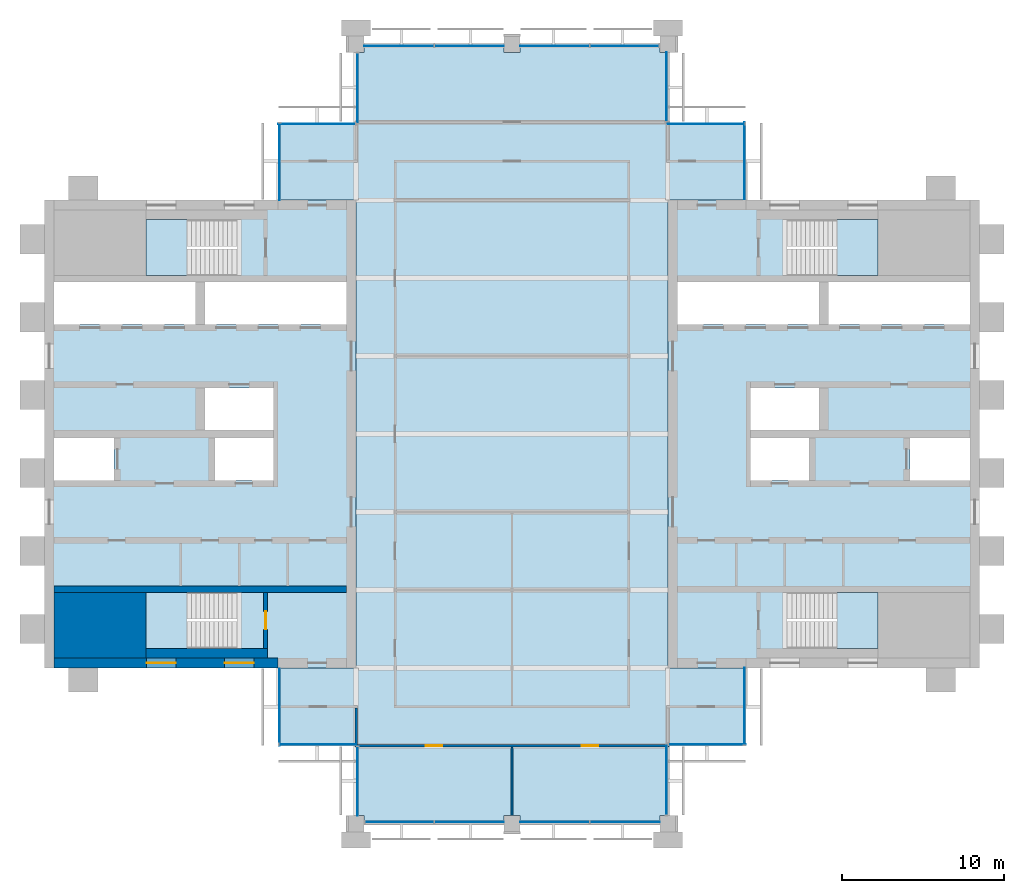
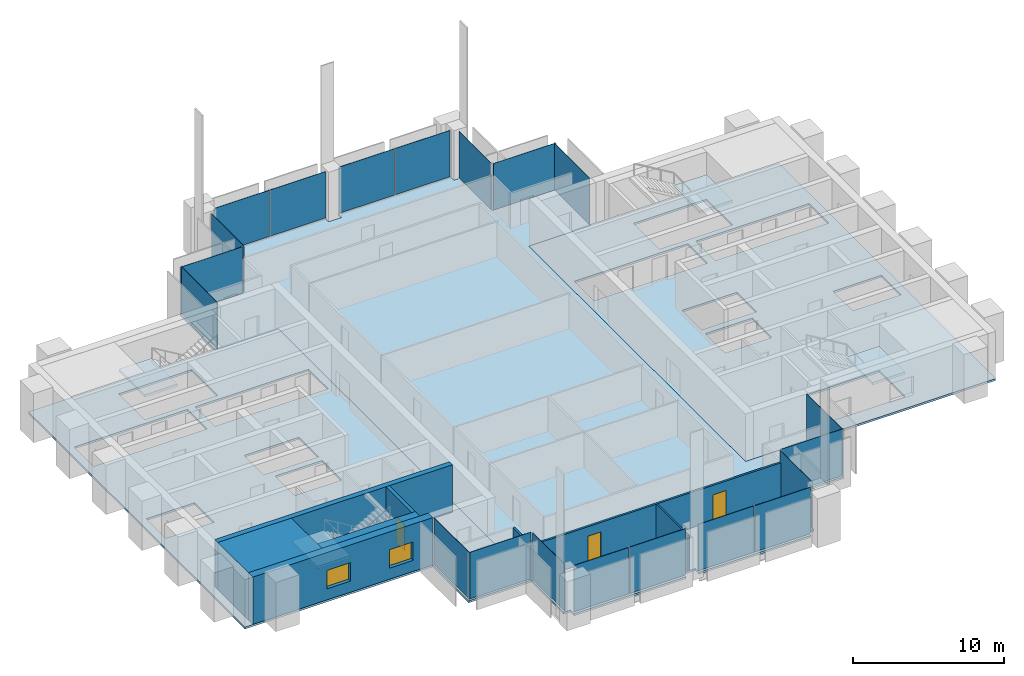
# One storey, part 7 of 12: 20 plates, 8 walls, 7 slabs, 3 doors, 2 windows, 5 openings, 18 elements without a shape of their own.
"""IFC4 building model written with IfcOpenShell, lengths in metres."""

from ifc_helpers import new_model, si_unit, direction, frame, frame_2d, origin, origin_2d, place, context, subcontext, project, spatial, polyline, rectangle, outline, extrude, material, layer, layer_set, type_object, element, fill, aggregate, save


model = new_model("IFC4")

# Units and contexts
model_context = context("Model", 3, precision=1e-05, world=origin(), true_north=direction((0.0, 1.0)))
body_context = subcontext(model_context, "Body", "Model", "MODEL_VIEW")
ifc_project = project(units=[si_unit("LENGTHUNIT", "METRE"), si_unit("AREAUNIT", "SQUARE_METRE"), si_unit("VOLUMEUNIT", "CUBIC_METRE"), si_unit("PLANEANGLEUNIT", "RADIAN"), si_unit("MASSUNIT", "GRAM", prefix="KILO")], contexts=[model_context])

# Site, building, storey
site_placement = place(None, origin())
site = spatial("IfcSite", under=ifc_project, at=site_placement, CompositionType="ELEMENT")
building_placement = place(site_placement, origin())
building = spatial("IfcBuilding", under=site, at=building_placement, Name="Baori Bourse Tower", CompositionType="ELEMENT")
storey_placement = place(building_placement, frame((0.0, 0.0, 342.300048828125)))
storey = spatial("IfcBuildingStorey", under=building, at=storey_placement, Name="L76", CompositionType="ELEMENT", Elevation=342.300048828125)

# Curtain wall, plate
ifc_material_1 = material(Name="Pale anodised aluminium", Category="aluminium")
curtain_wall_type_1 = type_object("IfcCurtainWallType", Name="CW2 Curtain wall", PredefinedType="NOTDEFINED", material=ifc_material_1)
curtain_wall_1_placement = place(storey_placement, origin())
curtain_wall_1 = element("IfcCurtainWall", 1, at=curtain_wall_1_placement, inside=storey, type_object=curtain_wall_type_1, Name="Curtain wall CW2 L76 1", PredefinedType="NOTDEFINED")
ifc_material_2 = material(Name="Clear glass", Category="glass")
ifc_layer_1 = layer(ifc_material_2, 0.030029296875)
ifc_layer_set_1 = layer_set([ifc_layer_1], Name="CW2 Curtain wall panel")
plate_type_1 = type_object("IfcPlateType", Name="CW2 Curtain wall panel", PredefinedType="CURTAIN_PANEL", material=ifc_layer_set_1)
plate_1_placement = place(storey_placement, frame((43.110107421875, 40.827392578125, 0.06982421875), z_axis=(0.0, 0.0, 1.0), x_axis=(0.0, 1.0, 0.0)))
plate_1 = element("IfcPlate", 2, at=plate_1_placement, type_object=plate_type_1, Name="Curtain wall CW2 panel", PredefinedType="CURTAIN_PANEL", context=body_context, shape_type="SweptSolid", body=[
    extrude(rectangle(XDim=4.7451171875, YDim=0.030029296875, at=origin_2d()), origin(), (0.0, 0.0, 1.0), 3.77001953125),
])
aggregate(curtain_wall_1, [plate_1])

curtain_wall_2_placement = place(storey_placement, origin())
curtain_wall_2 = element("IfcCurtainWall", 3, at=curtain_wall_2_placement, inside=storey, type_object=curtain_wall_type_1, Name="Curtain wall CW2 L76 2", PredefinedType="NOTDEFINED")
plate_2_placement = place(storey_placement, frame((40.7724609375, 43.110107421875, 0.06982421875), z_axis=(0.0, 0.0, 1.0), x_axis=(-1.0, 0.0, 0.0)))
plate_2 = element("IfcPlate", 4, at=plate_2_placement, type_object=plate_type_1, Name="Curtain wall CW2 panel", PredefinedType="CURTAIN_PANEL", context=body_context, shape_type="SweptSolid", body=[
    extrude(rectangle(XDim=4.7451171875, YDim=0.030029296875, at=origin_2d()), origin(), (0.0, 0.0, 1.0), 3.77001953125),
])
aggregate(curtain_wall_2, [plate_2])

curtain_wall_3_placement = place(storey_placement, origin())
curtain_wall_3 = element("IfcCurtainWall", 5, at=curtain_wall_3_placement, inside=storey, type_object=curtain_wall_type_1, Name="Curtain wall CW2 L76 3", PredefinedType="NOTDEFINED")
plate_3_placement = place(storey_placement, frame((38.31005859375, 45.37744140625, 0.06982421875), z_axis=(0.0, 0.0, 1.0), x_axis=(0.0, 1.0, 0.0)))
plate_3 = element("IfcPlate", 6, at=plate_3_placement, type_object=plate_type_1, Name="Curtain wall CW2 panel", PredefinedType="CURTAIN_PANEL", context=body_context, shape_type="SweptSolid", body=[
    extrude(rectangle(XDim=4.2451171875, YDim=0.030029296875, at=origin_2d()), origin(), (0.0, 0.0, 1.0), 3.77001953125),
])
aggregate(curtain_wall_3, [plate_3])

curtain_wall_4_placement = place(storey_placement, origin())
curtain_wall_4 = element("IfcCurtainWall", 7, at=curtain_wall_4_placement, inside=storey, type_object=curtain_wall_type_1, Name="Curtain wall CW2 L76 5", PredefinedType="NOTDEFINED")
plate_4_placement = place(storey_placement, frame((19.2900390625, 45.322509765625, 0.06982421875), z_axis=(0.0, 0.0, 1.0), x_axis=(0.0, -1.0, 0.0)))
plate_4 = element("IfcPlate", 8, at=plate_4_placement, type_object=plate_type_1, Name="Curtain wall CW2 panel", PredefinedType="CURTAIN_PANEL", context=body_context, shape_type="SweptSolid", body=[
    extrude(rectangle(XDim=4.2451171875, YDim=0.030029296875, at=origin_2d()), origin(), (0.0, 0.0, 1.0), 3.77001953125),
])
aggregate(curtain_wall_4, [plate_4])

curtain_wall_5_placement = place(storey_placement, origin())
curtain_wall_5 = element("IfcCurtainWall", 9, at=curtain_wall_5_placement, inside=storey, type_object=curtain_wall_type_1, Name="Curtain wall CW2 L76 6", PredefinedType="NOTDEFINED")
plate_5_placement = place(storey_placement, frame((16.7724609375, 43.110107421875, 0.06982421875), z_axis=(0.0, 0.0, 1.0), x_axis=(-1.0, 0.0, 0.0)))
plate_5 = element("IfcPlate", 10, at=plate_5_placement, type_object=plate_type_1, Name="Curtain wall CW2 panel", PredefinedType="CURTAIN_PANEL", context=body_context, shape_type="SweptSolid", body=[
    extrude(rectangle(XDim=4.7451171875, YDim=0.030029296875, at=origin_2d()), origin(), (0.0, 0.0, 1.0), 3.77001953125),
])
aggregate(curtain_wall_5, [plate_5])

curtain_wall_6_placement = place(storey_placement, origin())
curtain_wall_6 = element("IfcCurtainWall", 11, at=curtain_wall_6_placement, inside=storey, type_object=curtain_wall_type_1, Name="Curtain wall CW2 L76 7", PredefinedType="NOTDEFINED")
plate_6_placement = place(storey_placement, frame((14.489990234375, 40.7724609375, 0.06982421875), z_axis=(0.0, 0.0, 1.0), x_axis=(0.0, -1.0, 0.0)))
plate_6 = element("IfcPlate", 12, at=plate_6_placement, type_object=plate_type_1, Name="Curtain wall CW2 panel", PredefinedType="CURTAIN_PANEL", context=body_context, shape_type="SweptSolid", body=[
    extrude(rectangle(XDim=4.7451171875, YDim=0.030029296875, at=origin_2d()), origin(), (0.0, 0.0, 1.0), 3.77001953125),
])
aggregate(curtain_wall_6, [plate_6])

curtain_wall_7_placement = place(storey_placement, origin())
curtain_wall_7 = element("IfcCurtainWall", 13, at=curtain_wall_7_placement, inside=storey, type_object=curtain_wall_type_1, Name="Curtain wall CW2 L76 8", PredefinedType="NOTDEFINED")
plate_7_placement = place(storey_placement, frame((14.489990234375, 7.172607421875, 0.06982421875), z_axis=(0.0, 0.0, 1.0), x_axis=(0.0, -1.0, 0.0)))
plate_7 = element("IfcPlate", 14, at=plate_7_placement, type_object=plate_type_1, Name="Curtain wall CW2 panel", PredefinedType="CURTAIN_PANEL", context=body_context, shape_type="SweptSolid", body=[
    extrude(rectangle(XDim=4.7451171875, YDim=0.030029296875, at=origin_2d()), origin(), (0.0, 0.0, 1.0), 3.77001953125),
])
aggregate(curtain_wall_7, [plate_7])

curtain_wall_8_placement = place(storey_placement, origin())
curtain_wall_8 = element("IfcCurtainWall", 15, at=curtain_wall_8_placement, inside=storey, type_object=curtain_wall_type_1, Name="Curtain wall CW2 L76 9", PredefinedType="NOTDEFINED")
plate_8_placement = place(storey_placement, frame((16.827392578125, 4.889892578125, 0.06982421875), z_axis=(0.0, 0.0, 1.0), x_axis=(1.0, 0.0, 0.0)))
plate_8 = element("IfcPlate", 16, at=plate_8_placement, type_object=plate_type_1, Name="Curtain wall CW2 panel", PredefinedType="CURTAIN_PANEL", context=body_context, shape_type="SweptSolid", body=[
    extrude(rectangle(XDim=4.7451171875, YDim=0.030029296875, at=origin_2d()), origin(), (0.0, 0.0, 1.0), 3.77001953125),
])
aggregate(curtain_wall_8, [plate_8])

curtain_wall_9_placement = place(storey_placement, origin())
curtain_wall_9 = element("IfcCurtainWall", 17, at=curtain_wall_9_placement, inside=storey, type_object=curtain_wall_type_1, Name="Curtain wall CW2 L76 10", PredefinedType="NOTDEFINED")
plate_9_placement = place(storey_placement, frame((19.2900390625, 2.62255859375, 0.06982421875), z_axis=(0.0, 0.0, 1.0), x_axis=(0.0, -1.0, 0.0)))
plate_9 = element("IfcPlate", 18, at=plate_9_placement, type_object=plate_type_1, Name="Curtain wall CW2 panel", PredefinedType="CURTAIN_PANEL", context=body_context, shape_type="SweptSolid", body=[
    extrude(rectangle(XDim=4.2451171875, YDim=0.030029296875, at=origin_2d()), origin(), (0.0, 0.0, 1.0), 3.77001953125),
])
aggregate(curtain_wall_9, [plate_9])

curtain_wall_10_placement = place(storey_placement, origin())
curtain_wall_10 = element("IfcCurtainWall", 19, at=curtain_wall_10_placement, inside=storey, type_object=curtain_wall_type_1, Name="Curtain wall CW2 L76 12", PredefinedType="NOTDEFINED")
plate_10_placement = place(storey_placement, frame((38.31005859375, 2.677490234375, 0.06982421875), z_axis=(0.0, 0.0, 1.0), x_axis=(0.0, 1.0, 0.0)))
plate_10 = element("IfcPlate", 20, at=plate_10_placement, type_object=plate_type_1, Name="Curtain wall CW2 panel", PredefinedType="CURTAIN_PANEL", context=body_context, shape_type="SweptSolid", body=[
    extrude(rectangle(XDim=4.2451171875, YDim=0.030029296875, at=origin_2d()), origin(), (0.0, 0.0, 1.0), 3.77001953125),
])
aggregate(curtain_wall_10, [plate_10])

curtain_wall_11_placement = place(storey_placement, origin())
curtain_wall_11 = element("IfcCurtainWall", 21, at=curtain_wall_11_placement, inside=storey, type_object=curtain_wall_type_1, Name="Curtain wall CW2 L76 13", PredefinedType="NOTDEFINED")
plate_11_placement = place(storey_placement, frame((40.827392578125, 4.889892578125, 0.06982421875), z_axis=(0.0, 0.0, 1.0), x_axis=(1.0, 0.0, 0.0)))
plate_11 = element("IfcPlate", 22, at=plate_11_placement, type_object=plate_type_1, Name="Curtain wall CW2 panel", PredefinedType="CURTAIN_PANEL", context=body_context, shape_type="SweptSolid", body=[
    extrude(rectangle(XDim=4.7451171875, YDim=0.030029296875, at=origin_2d()), origin(), (0.0, 0.0, 1.0), 3.77001953125),
])
aggregate(curtain_wall_11, [plate_11])

curtain_wall_12_placement = place(storey_placement, origin())
curtain_wall_12 = element("IfcCurtainWall", 23, at=curtain_wall_12_placement, inside=storey, type_object=curtain_wall_type_1, Name="Curtain wall CW2 L76 14", PredefinedType="NOTDEFINED")
plate_12_placement = place(storey_placement, frame((43.110107421875, 7.2275390625, 0.06982421875), z_axis=(0.0, 0.0, 1.0), x_axis=(0.0, 1.0, 0.0)))
plate_12 = element("IfcPlate", 24, at=plate_12_placement, type_object=plate_type_1, Name="Curtain wall CW2 panel", PredefinedType="CURTAIN_PANEL", context=body_context, shape_type="SweptSolid", body=[
    extrude(rectangle(XDim=4.7451171875, YDim=0.030029296875, at=origin_2d()), origin(), (0.0, 0.0, 1.0), 3.77001953125),
])
aggregate(curtain_wall_12, [plate_12])

# Curtain wall, plates
ifc_material_3 = material(Name="Pale anodised aluminium", Category="aluminium")
curtain_wall_type_2 = type_object("IfcCurtainWallType", Name="CW5 Curtain wall", PredefinedType="NOTDEFINED", material=ifc_material_3)
curtain_wall_13_placement = place(storey_placement, origin())
curtain_wall_13 = element("IfcCurtainWall", 25, at=curtain_wall_13_placement, inside=storey, type_object=curtain_wall_type_2, Name="Curtain wall CW5 L76 4", PredefinedType="NOTDEFINED")
ifc_material_4 = material(Name="Clear glass", Category="glass")
ifc_layer_2 = layer(ifc_material_4, 0.035888671875)
ifc_layer_set_2 = layer_set([ifc_layer_2], Name="CW5 Curtain wall panel")
plate_type_2 = type_object("IfcPlateType", Name="CW5 Curtain wall panel", PredefinedType="CURTAIN_PANEL", material=ifc_layer_set_2)
plate_13_placement = place(storey_placement, frame((35.733642578125, 47.889892578125, 0.0849609375), z_axis=(0.0, 0.0, 1.0), x_axis=(-1.0, 0.0, 0.0)))
plate_13 = element("IfcPlate", 26, at=plate_13_placement, type_object=plate_type_2, Name="Curtain wall CW5 panel", PredefinedType="CURTAIN_PANEL", context=body_context, shape_type="SweptSolid", body=[
    extrude(rectangle(XDim=4.202392578125, YDim=0.035888671875, at=origin_2d()), origin(), (0.0, 0.0, 1.0), 3.7548828125),
])
plate_14_placement = place(storey_placement, frame((31.433837890625, 47.889892578125, 0.0849609375), z_axis=(0.0, 0.0, 1.0), x_axis=(-1.0, 0.0, 0.0)))
plate_14 = element("IfcPlate", 27, at=plate_14_placement, type_object=plate_type_2, Name="Curtain wall CW5 panel", PredefinedType="CURTAIN_PANEL", context=body_context, shape_type="SweptSolid", body=[
    extrude(rectangle(XDim=4.267578125, YDim=0.035888671875, at=origin_2d()), origin(), (0.0, 0.0, 1.0), 3.7548828125),
])
plate_15_placement = place(storey_placement, frame((26.166259765625, 47.889892578125, 0.0849609375), z_axis=(0.0, 0.0, 1.0), x_axis=(-1.0, 0.0, 0.0)))
plate_15 = element("IfcPlate", 28, at=plate_15_placement, type_object=plate_type_2, Name="Curtain wall CW5 panel", PredefinedType="CURTAIN_PANEL", context=body_context, shape_type="SweptSolid", body=[
    extrude(rectangle(XDim=4.267578125, YDim=0.035888671875, at=origin_2d()), origin(), (0.0, 0.0, 1.0), 3.7548828125),
])
plate_16_placement = place(storey_placement, frame((21.833740234375, 47.889892578125, 0.0849609375), z_axis=(0.0, 0.0, 1.0), x_axis=(-1.0, 0.0, 0.0)))
plate_16 = element("IfcPlate", 29, at=plate_16_placement, type_object=plate_type_2, Name="Curtain wall CW5 panel", PredefinedType="CURTAIN_PANEL", context=body_context, shape_type="SweptSolid", body=[
    extrude(rectangle(XDim=4.267578125, YDim=0.035888671875, at=origin_2d()), origin(), (0.0, 0.0, 1.0), 3.7548828125),
])
aggregate(curtain_wall_13, [plate_13, plate_14, plate_15, plate_16])

curtain_wall_14_placement = place(storey_placement, origin())
curtain_wall_14 = element("IfcCurtainWall", 30, at=curtain_wall_14_placement, inside=storey, type_object=curtain_wall_type_2, Name="Curtain wall CW5 L76 11", PredefinedType="NOTDEFINED")
plate_17_placement = place(storey_placement, frame((21.8662109375, 0.110107421875, 0.0849609375), z_axis=(0.0, 0.0, 1.0), x_axis=(1.0, 0.0, 0.0)))
plate_17 = element("IfcPlate", 31, at=plate_17_placement, type_object=plate_type_2, Name="Curtain wall CW5 panel", PredefinedType="CURTAIN_PANEL", context=body_context, shape_type="SweptSolid", body=[
    extrude(rectangle(XDim=4.202392578125, YDim=0.035888671875, at=origin_2d()), origin(), (0.0, 0.0, 1.0), 3.7548828125),
])
plate_18_placement = place(storey_placement, frame((26.166259765625, 0.110107421875, 0.0849609375), z_axis=(0.0, 0.0, 1.0), x_axis=(1.0, 0.0, 0.0)))
plate_18 = element("IfcPlate", 32, at=plate_18_placement, type_object=plate_type_2, Name="Curtain wall CW5 panel", PredefinedType="CURTAIN_PANEL", context=body_context, shape_type="SweptSolid", body=[
    extrude(rectangle(XDim=4.267578125, YDim=0.035888671875, at=origin_2d()), origin(), (0.0, 0.0, 1.0), 3.7548828125),
])
plate_19_placement = place(storey_placement, frame((31.433837890625, 0.110107421875, 0.0849609375), z_axis=(0.0, 0.0, 1.0), x_axis=(1.0, 0.0, 0.0)))
plate_19 = element("IfcPlate", 33, at=plate_19_placement, type_object=plate_type_2, Name="Curtain wall CW5 panel", PredefinedType="CURTAIN_PANEL", context=body_context, shape_type="SweptSolid", body=[
    extrude(rectangle(XDim=4.267578125, YDim=0.035888671875, at=origin_2d()), origin(), (0.0, 0.0, 1.0), 3.7548828125),
])
plate_20_placement = place(storey_placement, frame((35.766357421875, 0.110107421875, 0.0849609375), z_axis=(0.0, 0.0, 1.0), x_axis=(1.0, 0.0, 0.0)))
plate_20 = element("IfcPlate", 34, at=plate_20_placement, type_object=plate_type_2, Name="Curtain wall CW5 panel", PredefinedType="CURTAIN_PANEL", context=body_context, shape_type="SweptSolid", body=[
    extrude(rectangle(XDim=4.267578125, YDim=0.035888671875, at=origin_2d()), origin(), (0.0, 0.0, 1.0), 3.7548828125),
])
aggregate(curtain_wall_14, [plate_17, plate_18, plate_19, plate_20])

# Slabs
ifc_material_5 = material(Name="Concrete f'c 50 MPa", Category="concrete")
ifc_layer_3 = layer(ifc_material_5, 0.159912109375)
ifc_layer_set_3 = layer_set([ifc_layer_3], Name="Core slab 160")
slab_type_1 = type_object("IfcSlabType", Name="Core slab 160", PredefinedType="FLOOR", material=ifc_layer_set_3)
slab_1_placement = place(storey_placement, frame((0.0, 0.0, -0.16015625)))
element("IfcSlab", 35, at=slab_1_placement, inside=storey, type_object=slab_type_1, Name="Core floor slab W01", PredefinedType="FLOOR", context=body_context, shape_type="SweptSolid", body=[
    extrude(outline(polyline([(19.199951171875, 38.39990234375), (0.0, 38.39990234375), (0.0, 9.60009765625), (19.199951171875, 9.60009765625), (19.199951171875, 38.39990234375)]), holes=[polyline([(9.89990234375, 33.35009765625), (18.60009765625, 33.35009765625), (18.60009765625, 30.75), (9.89990234375, 30.75), (9.89990234375, 33.35009765625)]), polyline([(10.5, 21.14990234375), (10.5, 23.75), (14.10009765625, 23.75), (14.10009765625, 21.14990234375), (10.5, 21.14990234375)]), polyline([(14.10009765625, 24.25), (9.89990234375, 24.25), (9.89990234375, 26.85009765625), (14.10009765625, 26.85009765625), (14.10009765625, 24.25)]), polyline([(6.25, 14.25), (11.84912109375, 14.25), (11.84912109375, 10.800048828125), (6.25, 10.800048828125), (6.25, 14.25)]), polyline([(11.84912109375, 37.199951171875), (11.84912109375, 33.75), (6.25, 33.75), (6.25, 37.199951171875), (11.84912109375, 37.199951171875)]), polyline([(0.60009765625, 30.75), (0.60009765625, 33.35009765625), (9.300048828125, 33.35009765625), (9.300048828125, 30.75), (0.60009765625, 30.75)]), polyline([(4.300048828125, 23.75), (4.300048828125, 21.14990234375), (0.60009765625, 21.14990234375), (0.60009765625, 23.75), (4.300048828125, 23.75)])]), origin(), (0.0, 0.0, 1.0), 0.16015625),
])
slab_2_placement = place(storey_placement, frame((0.0, 0.0, -0.16015625)))
element("IfcSlab", 36, at=slab_2_placement, inside=storey, type_object=slab_type_1, Name="Core floor slab E01", PredefinedType="FLOOR", context=body_context, shape_type="SweptSolid", body=[
    extrude(outline(polyline([(57.60009765625, 9.60009765625), (57.60009765625, 38.39990234375), (38.39990234375, 38.39990234375), (38.39990234375, 9.60009765625), (57.60009765625, 9.60009765625)]), holes=[polyline([(48.300048828125, 33.35009765625), (57.0, 33.35009765625), (57.0, 30.75), (48.300048828125, 30.75), (48.300048828125, 33.35009765625)]), polyline([(57.0, 21.14990234375), (53.300048828125, 21.14990234375), (53.300048828125, 23.75), (57.0, 23.75), (57.0, 21.14990234375)]), polyline([(45.750732421875, 14.25), (51.35009765625, 14.25), (51.35009765625, 10.800048828125), (45.750732421875, 10.800048828125), (45.750732421875, 14.25)]), polyline([(51.35009765625, 37.199951171875), (51.35009765625, 33.75), (45.750732421875, 33.75), (45.750732421875, 37.199951171875), (51.35009765625, 37.199951171875)]), polyline([(43.5, 24.25), (43.5, 26.85009765625), (47.699951171875, 26.85009765625), (47.699951171875, 24.25), (43.5, 24.25)]), polyline([(47.699951171875, 33.35009765625), (47.699951171875, 30.75), (39.0, 30.75), (39.0, 33.35009765625), (47.699951171875, 33.35009765625)]), polyline([(43.5, 23.75), (47.10009765625, 23.75), (47.10009765625, 21.14990234375), (43.5, 21.14990234375), (43.5, 23.75)])]), origin(), (0.0, 0.0, 1.0), 0.16015625),
])

# Stair, slab
ifc_material_6 = material(Name="Concrete f'c 50 MPa", Category="concrete")
stair_type = type_object("IfcStairType", Name="Core stair", PredefinedType="HALF_TURN_STAIR", material=ifc_material_6)
stair_1_placement = place(storey_placement, origin())
stair_1 = element("IfcStair", 37, at=stair_1_placement, inside=storey, type_object=stair_type, Name="L76 Stair WA", PredefinedType="HALF_TURN_STAIR")
ifc_material_7 = material(Name="Concrete f'c 50 MPa", Category="concrete")
slab_type_2 = type_object("IfcSlabType", Name="Core stair landing", PredefinedType="LANDING", material=ifc_material_7)
slab_3_placement = place(storey_placement, frame((0.0, 0.0, 1.800048828125)))
slab_3 = element("IfcSlab", 38, at=slab_3_placement, type_object=slab_type_2, Name="ST1 landing 1", PredefinedType="LANDING", context=body_context, shape_type="SweptSolid", body=[
    extrude(outline(polyline([(8.77001953125, 14.25), (6.25, 14.25), (6.25, 10.800048828125), (8.77001953125, 10.800048828125), (8.77001953125, 14.25)])), origin(), (0.0, 0.0, 1.0), 0.199951171875),
])
aggregate(stair_1, [slab_3])

stair_2_placement = place(storey_placement, origin())
stair_2 = element("IfcStair", 39, at=stair_2_placement, inside=storey, type_object=stair_type, Name="L76 Stair WB", PredefinedType="HALF_TURN_STAIR")
slab_4_placement = place(storey_placement, frame((0.0, 0.0, 1.800048828125)))
slab_4 = element("IfcSlab", 40, at=slab_4_placement, type_object=slab_type_2, Name="ST2 landing 1", PredefinedType="LANDING", context=body_context, shape_type="SweptSolid", body=[
    extrude(outline(polyline([(8.77001953125, 37.199951171875), (6.25, 37.199951171875), (6.25, 33.75), (8.77001953125, 33.75), (8.77001953125, 37.199951171875)])), origin(), (0.0, 0.0, 1.0), 0.199951171875),
])
aggregate(stair_2, [slab_4])

stair_3_placement = place(storey_placement, origin())
stair_3 = element("IfcStair", 41, at=stair_3_placement, inside=storey, type_object=stair_type, Name="L76 Stair EA", PredefinedType="HALF_TURN_STAIR")
slab_5_placement = place(storey_placement, frame((0.0, 0.0, 1.800048828125)))
slab_5 = element("IfcSlab", 42, at=slab_5_placement, type_object=slab_type_2, Name="ST3 landing 1", PredefinedType="LANDING", context=body_context, shape_type="SweptSolid", body=[
    extrude(outline(polyline([(48.830078125, 10.800048828125), (51.35009765625, 10.800048828125), (51.35009765625, 14.25), (48.830078125, 14.25), (48.830078125, 10.800048828125)])), origin(), (0.0, 0.0, 1.0), 0.199951171875),
])
aggregate(stair_3, [slab_5])

stair_4_placement = place(storey_placement, origin())
stair_4 = element("IfcStair", 43, at=stair_4_placement, inside=storey, type_object=stair_type, Name="L76 Stair EB", PredefinedType="HALF_TURN_STAIR")
slab_6_placement = place(storey_placement, frame((0.0, 0.0, 1.800048828125)))
slab_6 = element("IfcSlab", 44, at=slab_6_placement, type_object=slab_type_2, Name="ST4 landing 1", PredefinedType="LANDING", context=body_context, shape_type="SweptSolid", body=[
    extrude(outline(polyline([(48.830078125, 33.75), (51.35009765625, 33.75), (51.35009765625, 37.199951171875), (48.830078125, 37.199951171875), (48.830078125, 33.75)])), origin(), (0.0, 0.0, 1.0), 0.199951171875),
])
aggregate(stair_4, [slab_6])

# Slab
ifc_material_8 = material(Name="Concrete f'c 40 MPa", Category="concrete")
ifc_layer_4 = layer(ifc_material_8, 0.159912109375)
ifc_layer_set_4 = layer_set([ifc_layer_4], Name="Floor slab 160")
slab_type_3 = type_object("IfcSlabType", Name="Floor slab 160", PredefinedType="FLOOR", material=ifc_layer_set_4)
slab_7_placement = place(storey_placement, frame((0.0, 0.0, -0.16015625)))
element("IfcSlab", 45, at=slab_7_placement, inside=storey, type_object=slab_type_3, Name="Floor slab L76", PredefinedType="FLOOR", context=body_context, shape_type="SweptSolid", body=[
    extrude(outline(polyline([(19.199951171875, 4.800048828125), (14.39990234375, 4.800048828125), (14.39990234375, 9.60009765625), (19.199951171875, 9.60009765625), (19.199951171875, 38.39990234375), (14.39990234375, 38.39990234375), (14.39990234375, 43.199951171875), (19.199951171875, 43.199951171875), (19.199951171875, 47.5), (19.699951171875, 47.5), (19.699951171875, 48.0), (28.300048828125, 48.0), (28.300048828125, 47.5), (29.300048828125, 47.5), (29.300048828125, 48.0), (37.89990234375, 48.0), (37.89990234375, 47.5), (38.39990234375, 47.5), (38.39990234375, 43.199951171875), (43.199951171875, 43.199951171875), (43.199951171875, 38.39990234375), (38.39990234375, 38.39990234375), (38.39990234375, 9.60009765625), (43.199951171875, 9.60009765625), (43.199951171875, 4.800048828125), (38.39990234375, 4.800048828125), (38.39990234375, 0.5), (37.89990234375, 0.5), (37.89990234375, 0.0), (29.300048828125, 0.0), (29.300048828125, 0.5), (28.300048828125, 0.5), (28.300048828125, 0.0), (19.699951171875, 0.0), (19.699951171875, 0.5), (19.199951171875, 0.5), (19.199951171875, 4.800048828125)])), origin(), (0.0, 0.0, 1.0), 0.16015625),
])

# Wall
ifc_material_9 = material(Name="Concrete f'c 40 MPa", Category="concrete")
wall_type_1 = type_object("IfcWallType", Name="Core corner block f'c 40", PredefinedType="SHEAR", material=ifc_material_9)
wall_1_placement = place(storey_placement, frame((0.60009765625, 12.22509765625, 0.0), z_axis=(0.0, 0.0, 1.0), x_axis=(1.0, 0.0, 0.0)))
element("IfcWall", 46, at=wall_1_placement, inside=storey, type_object=wall_type_1, Name="Core wall W05", PredefinedType="SHEAR", context=body_context, shape_type="SweptSolid", body=[
    extrude(rectangle(XDim=5.64990234375, YDim=4.050048828125, at=frame_2d((2.824951171875, 0.0))), origin(), (0.0, 0.0, 1.0), 3.83984375),
])

# Wall, openings, windows
ifc_material_10 = material(Name="Concrete f'c 40 MPa", Category="concrete")
ifc_layer_5 = layer(ifc_material_10, 0.60009765625)
ifc_layer_set_5 = layer_set([ifc_layer_5], Name="Core wall 600 f'c 40")
wall_type_2 = type_object("IfcWallType", Name="Core wall 600 f'c 40", PredefinedType="SHEAR", material=ifc_layer_set_5)
wall_2_placement = place(storey_placement, frame((14.39990234375, 9.89990234375, 0.0), z_axis=(0.0, 0.0, 1.0), x_axis=(-1.0, 0.0, 0.0)))
wall_2 = element("IfcWall", 47, at=wall_2_placement, inside=storey, type_object=wall_type_2, Name="Core wall W02", PredefinedType="SHEAR", context=body_context, shape_type="SweptSolid", body=[
    extrude(rectangle(XDim=13.7998046875, YDim=0.60009765625, at=frame_2d((6.89990234375, 0.0))), origin(), (0.0, 0.0, 1.0), 3.83984375),
])
opening_1_placement = place(wall_2_placement, frame((6.300048828125, 0.0, 0.89990234375)))
opening_1 = element("IfcOpeningElement", 48, at=opening_1_placement, cuts=wall_2, Name="Opening L76-KW103", PredefinedType="OPENING", context=body_context, shape_type="SweptSolid", body=[
    extrude(rectangle(XDim=1.800048828125, YDim=1.5, at=frame_2d((0.89990234375, 0.75))), frame((0.0, 0.31005859375, 0.0), z_axis=(0.0, -1.0, 0.0), x_axis=(1.0, 0.0, 0.0)), (0.0, 0.0, 1.0), 0.6201171875),
])
opening_2_placement = place(wall_2_placement, frame((1.5, 0.0, 0.89990234375)))
opening_2 = element("IfcOpeningElement", 49, at=opening_2_placement, cuts=wall_2, Name="Opening L76-KW104", PredefinedType="OPENING", context=body_context, shape_type="SweptSolid", body=[
    extrude(rectangle(XDim=1.800048828125, YDim=1.5, at=frame_2d((0.89990234375, 0.75))), frame((0.0, 0.31005859375, 0.0), z_axis=(0.0, -1.0, 0.0), x_axis=(1.0, 0.0, 0.0)), (0.0, 0.0, 1.0), 0.6201171875),
])
ifc_material_11 = material(Name="Pale anodised aluminium", Category="aluminium")
window_type = type_object("IfcWindowType", Name="Stair window 1800 x 1500", PartitioningType="SINGLE_PANEL", PredefinedType="WINDOW", material=ifc_material_11)
window_1_placement = place(opening_1_placement, origin())
window_1 = element("IfcWindow", 50, at=window_1_placement, inside=storey, type_object=window_type, Name="Stair window W L76 3", OverallHeight=1.5, OverallWidth=1.800048828125, PartitioningType="SINGLE_PANEL", PredefinedType="WINDOW", context=body_context, shape_type="SweptSolid", body=[
    extrude(rectangle(XDim=1.800048828125, YDim=1.5, at=frame_2d((0.89990234375, 0.75))), frame((0.0, 0.030029296875, 0.0), z_axis=(0.0, -1.0, 0.0), x_axis=(1.0, 0.0, 0.0)), (0.0, 0.0, 1.0), 0.06005859375),
])
fill(opening_1, window_1)
window_2_placement = place(opening_2_placement, origin())
window_2 = element("IfcWindow", 51, at=window_2_placement, inside=storey, type_object=window_type, Name="Stair window W L76 4", OverallHeight=1.5, OverallWidth=1.800048828125, PartitioningType="SINGLE_PANEL", PredefinedType="WINDOW", context=body_context, shape_type="SweptSolid", body=[
    extrude(rectangle(XDim=1.800048828125, YDim=1.5, at=frame_2d((0.89990234375, 0.75))), frame((0.0, 0.030029296875, 0.0), z_axis=(0.0, -1.0, 0.0), x_axis=(1.0, 0.0, 0.0)), (0.0, 0.0, 1.0), 0.06005859375),
])
fill(opening_2, window_2)

# Wall, openings, doors
ifc_material_12 = material(Name="Gypsum board partition")
ifc_layer_6 = layer(ifc_material_12, 0.14990234375)
ifc_layer_set_6 = layer_set([ifc_layer_6], Name="Corridor partition 150")
wall_type_3 = type_object("IfcWallType", Name="Corridor partition 150", PredefinedType="PARTITIONING", material=ifc_layer_set_6)
wall_3_placement = place(storey_placement, frame((19.125, 4.800048828125, 0.0), z_axis=(0.0, 0.0, 1.0), x_axis=(1.0, 0.0, 0.0)))
wall_3 = element("IfcWall", 52, at=wall_3_placement, inside=storey, type_object=wall_type_3, Name="Partition", PredefinedType="PARTITIONING", context=body_context, shape_type="SweptSolid", body=[
    extrude(rectangle(XDim=19.35009765625, YDim=0.14990234375, at=frame_2d((9.675048828125, 0.0))), origin(), (0.0, 0.0, 1.0), 2.86962890625),
])
opening_3_placement = place(wall_3_placement, frame((4.375, 0.0, 0.0)))
opening_3 = element("IfcOpeningElement", 53, at=opening_3_placement, cuts=wall_3, Name="Opening L76-D01", PredefinedType="OPENING", context=body_context, shape_type="SweptSolid", body=[
    extrude(rectangle(XDim=1.0, YDim=2.10009765625, at=frame_2d((0.5, 1.050048828125))), frame((0.0, 0.0849609375, 0.0), z_axis=(0.0, -1.0, 0.0), x_axis=(1.0, 0.0, 0.0)), (0.0, 0.0, 1.0), 0.169921875),
])
opening_4_placement = place(wall_3_placement, frame((13.97509765625, 0.0, 0.0)))
opening_4 = element("IfcOpeningElement", 54, at=opening_4_placement, cuts=wall_3, Name="Opening L76-D02", PredefinedType="OPENING", context=body_context, shape_type="SweptSolid", body=[
    extrude(rectangle(XDim=1.0, YDim=2.10009765625, at=frame_2d((0.5, 1.050048828125))), frame((0.0, 0.0849609375, 0.0), z_axis=(0.0, -1.0, 0.0), x_axis=(1.0, 0.0, 0.0)), (0.0, 0.0, 1.0), 0.169921875),
])
ifc_material_13 = material(Name="Timber door leaf", Category="wood")
door_type_1 = type_object("IfcDoorType", Name="Door 1000 x 2100", OperationType="SINGLE_SWING_LEFT", PredefinedType="DOOR", material=ifc_material_13)
door_1_placement = place(opening_3_placement, origin())
door_1 = element("IfcDoor", 55, at=door_1_placement, inside=storey, type_object=door_type_1, Name="Door", OperationType="SINGLE_SWING_LEFT", OverallHeight=2.10009765625, OverallWidth=1.0, PredefinedType="DOOR", context=body_context, shape_type="SweptSolid", body=[
    extrude(rectangle(XDim=1.0, YDim=2.10009765625, at=frame_2d((0.5, 1.050048828125))), frame((0.0, 0.02490234375, 0.0), z_axis=(0.0, -1.0, 0.0), x_axis=(1.0, 0.0, 0.0)), (0.0, 0.0, 1.0), 0.050048828125),
])
fill(opening_3, door_1)
door_2_placement = place(opening_4_placement, origin())
door_2 = element("IfcDoor", 56, at=door_2_placement, inside=storey, type_object=door_type_1, Name="Door", OperationType="SINGLE_SWING_RIGHT", OverallHeight=2.10009765625, OverallWidth=1.0, PredefinedType="DOOR", context=body_context, shape_type="SweptSolid", body=[
    extrude(rectangle(XDim=1.0, YDim=2.10009765625, at=frame_2d((0.5, 1.050048828125))), frame((0.0, 0.02490234375, 0.0), z_axis=(0.0, -1.0, 0.0), x_axis=(1.0, 0.0, 0.0)), (0.0, 0.0, 1.0), 0.050048828125),
])
fill(opening_4, door_2)

# Walls
wall_4_placement = place(storey_placement, frame((19.199951171875, 4.875, 0.0), z_axis=(0.0, 0.0, 1.0), x_axis=(0.0, 1.0, 0.0)))
element("IfcWall", 57, at=wall_4_placement, inside=storey, type_object=wall_type_3, Name="Partition", PredefinedType="PARTITIONING", context=body_context, shape_type="SweptSolid", body=[
    extrude(rectangle(XDim=2.25, YDim=0.14990234375, at=frame_2d((1.125, 0.0))), origin(), (0.0, 0.0, 1.0), 2.86962890625),
])
ifc_material_14 = material(Name="Gypsum board partition")
ifc_layer_7 = layer(ifc_material_14, 0.125)
ifc_layer_set_7 = layer_set([ifc_layer_7], Name="Partition 125")
wall_type_4 = type_object("IfcWallType", Name="Partition 125", PredefinedType="PARTITIONING", material=ifc_layer_set_7)
wall_5_placement = place(storey_placement, frame((28.800048828125, 0.5, 0.0), z_axis=(0.0, 0.0, 1.0), x_axis=(0.0, 1.0, 0.0)))
element("IfcWall", 58, at=wall_5_placement, inside=storey, type_object=wall_type_4, Name="Partition", PredefinedType="PARTITIONING", context=body_context, shape_type="SweptSolid", body=[
    extrude(rectangle(XDim=4.22509765625, YDim=0.125, at=frame_2d((2.112548828125, 0.0))), origin(), (0.0, 0.0, 1.0), 2.86962890625),
])

# Wall, opening, door
ifc_material_15 = material(Name="Concrete f'c 40 MPa", Category="concrete")
ifc_layer_8 = layer(ifc_material_15, 0.25)
ifc_layer_set_8 = layer_set([ifc_layer_8], Name="Shaft wall 250 f'c 40")
wall_type_5 = type_object("IfcWallType", Name="Shaft wall 250 f'c 40", PredefinedType="SHEAR", material=ifc_layer_set_8)
wall_6_placement = place(storey_placement, frame((13.625, 10.800048828125, 0.0), z_axis=(0.0, 0.0, 1.0), x_axis=(0.0, 1.0, 0.0)))
wall_6 = element("IfcWall", 59, at=wall_6_placement, inside=storey, type_object=wall_type_5, Name="Core wall W07", PredefinedType="SHEAR", context=body_context, shape_type="SweptSolid", body=[
    extrude(rectangle(XDim=3.449951171875, YDim=0.25, at=frame_2d((1.72509765625, 0.0))), origin(), (0.0, 0.0, 1.0), 3.83984375),
])
opening_5_placement = place(wall_6_placement, frame((1.175048828125, 0.0, 0.0)))
opening_5 = element("IfcOpeningElement", 60, at=opening_5_placement, cuts=wall_6, Name="Opening L76-D101", PredefinedType="OPENING", context=body_context, shape_type="SweptSolid", body=[
    extrude(rectangle(XDim=1.10009765625, YDim=2.10009765625, at=frame_2d((0.550048828125, 1.050048828125))), frame((0.0, 0.135009765625, 0.0), z_axis=(0.0, -1.0, 0.0), x_axis=(1.0, 0.0, 0.0)), (0.0, 0.0, 1.0), 0.27001953125),
])
ifc_material_16 = material(Name="Painted steel door", Category="steel")
door_type_2 = type_object("IfcDoorType", Name="Stair door 1100", OperationType="SINGLE_SWING_LEFT", PredefinedType="DOOR", material=ifc_material_16)
door_3_placement = place(opening_5_placement, origin())
door_3 = element("IfcDoor", 61, at=door_3_placement, inside=storey, type_object=door_type_2, Name="Stair door A W L76", OperationType="SINGLE_SWING_LEFT", OverallHeight=2.10009765625, OverallWidth=1.10009765625, PredefinedType="DOOR", context=body_context, shape_type="SweptSolid", body=[
    extrude(rectangle(XDim=1.10009765625, YDim=2.10009765625, at=frame_2d((0.550048828125, 1.050048828125))), frame((0.0, 0.02490234375, 0.0), z_axis=(0.0, -1.0, 0.0), x_axis=(1.0, 0.0, 0.0)), (0.0, 0.0, 1.0), 0.050048828125),
])
fill(opening_5, door_3)

# Walls
ifc_material_17 = material(Name="Concrete f'c 40 MPa", Category="concrete")
ifc_layer_9 = layer(ifc_material_17, 0.39990234375)
ifc_layer_set_9 = layer_set([ifc_layer_9], Name="Shaft wall 400 f'c 40")
wall_type_6 = type_object("IfcWallType", Name="Shaft wall 400 f'c 40", PredefinedType="SHEAR", material=ifc_layer_set_9)
wall_7_placement = place(storey_placement, frame((0.60009765625, 14.449951171875, 0.0), z_axis=(0.0, 0.0, 1.0), x_axis=(1.0, 0.0, 0.0)))
element("IfcWall", 62, at=wall_7_placement, inside=storey, type_object=wall_type_6, Name="Core wall W08", PredefinedType="SHEAR", context=body_context, shape_type="SweptSolid", body=[
    extrude(rectangle(XDim=18.0, YDim=0.39990234375, at=frame_2d((9.0, 0.0))), origin(), (0.0, 0.0, 1.0), 3.83984375),
])
ifc_material_18 = material(Name="Concrete f'c 40 MPa", Category="concrete")
ifc_layer_10 = layer(ifc_material_18, 0.60009765625)
ifc_layer_set_10 = layer_set([ifc_layer_10], Name="Shaft wall 600 f'c 40")
wall_type_7 = type_object("IfcWallType", Name="Shaft wall 600 f'c 40", PredefinedType="SHEAR", material=ifc_layer_set_10)
wall_8_placement = place(storey_placement, frame((6.25, 10.5, 0.0), z_axis=(0.0, 0.0, 1.0), x_axis=(1.0, 0.0, 0.0)))
element("IfcWall", 63, at=wall_8_placement, inside=storey, type_object=wall_type_7, Name="Core wall W06", PredefinedType="SHEAR", context=body_context, shape_type="SweptSolid", body=[
    extrude(rectangle(XDim=7.5, YDim=0.60009765625, at=frame_2d((3.75, 0.0))), origin(), (0.0, 0.0, 1.0), 3.83984375),
])

save(model, "model.ifc")
